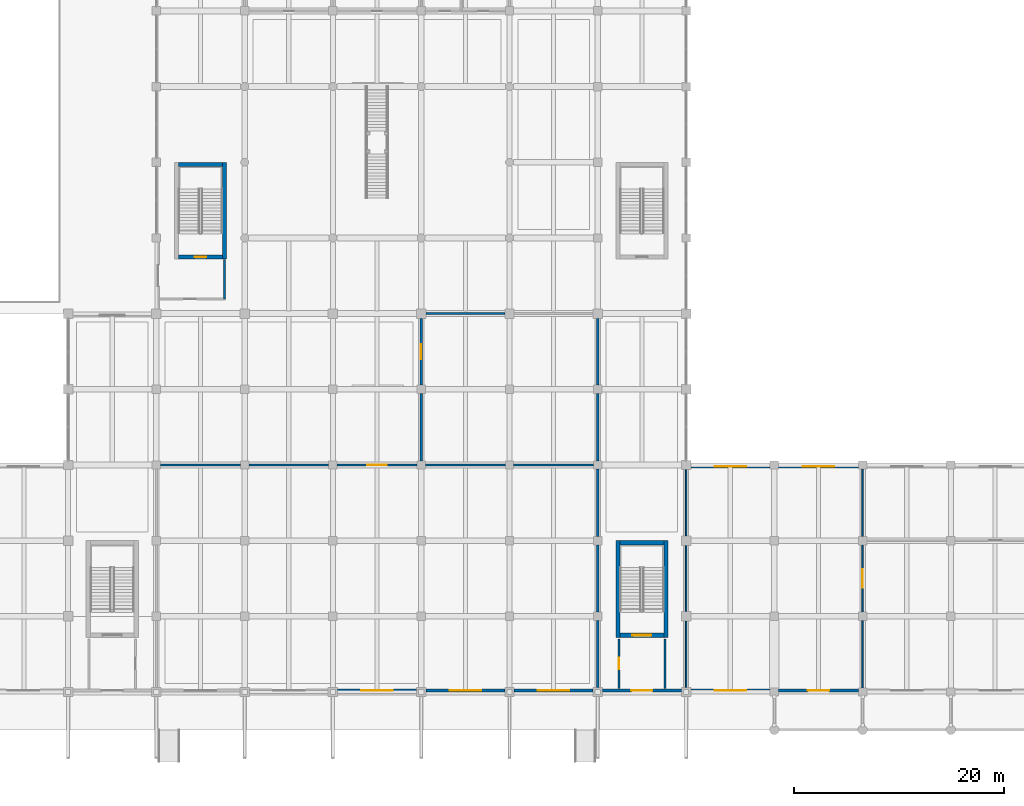
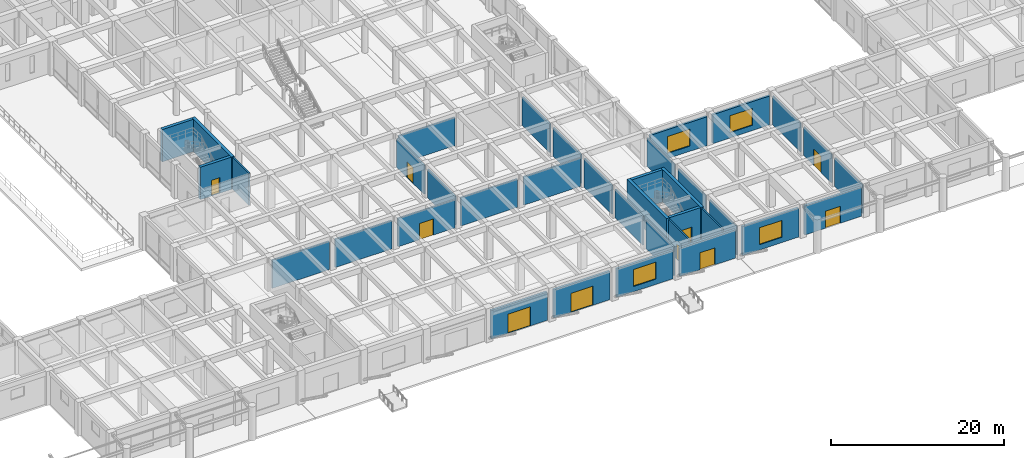
# One storey, part 27 of 49: 37 walls, 10 doors, 4 windows, 14 openings.
"""IFC4 building model written with IfcOpenShell, lengths in metres."""

from ifc_helpers import new_model, si_unit, direction, frame, frame_2d, origin, place, context, subcontext, project, spatial, rectangle, extrude, material, layer, layer_set, type_object, element, fill, save


model = new_model("IFC4")

# Units and contexts
model_context = context("Model", 3, precision=1e-05, world=origin(), true_north=direction((0.0, 1.0)))
body_context = subcontext(model_context, "Body", "Model", "MODEL_VIEW")
ifc_project = project(units=[si_unit("LENGTHUNIT", "METRE"), si_unit("AREAUNIT", "SQUARE_METRE"), si_unit("VOLUMEUNIT", "CUBIC_METRE"), si_unit("PLANEANGLEUNIT", "RADIAN"), si_unit("MASSUNIT", "GRAM", prefix="KILO")], contexts=[model_context])

# Site, building, storey
site_placement = place(None, origin())
site = spatial("IfcSite", under=ifc_project, at=site_placement, CompositionType="ELEMENT")
building_placement = place(site_placement, origin())
building = spatial("IfcBuilding", under=site, at=building_placement, Name="Kenerak Square Central Library", CompositionType="ELEMENT")
storey_placement = place(building_placement, origin())
storey = spatial("IfcBuildingStorey", under=building, at=storey_placement, Name="L00", CompositionType="ELEMENT", Elevation=0.0)

# Wall
ifc_material_1 = material(Name="Precast concrete C40/50", Category="concrete")
ifc_layer_1 = layer(ifc_material_1, 0.14990234375)
ifc_layer_set_1 = layer_set([ifc_layer_1], Name="Precast concrete C40/50")
wall_type_1 = type_object("IfcWallType", Name="Acoustic Blockwork Partition IW-150 C40/50", PredefinedType="PARTITIONING", material=ifc_layer_set_1)
wall_1_placement = place(storey_placement, frame((134.0, 38.0, 0.0), z_axis=(0.0, 0.0, 1.0), x_axis=(0.0, -1.0, 0.0)))
element("IfcWall", 1, at=wall_1_placement, inside=storey, type_object=wall_type_1, Name="Interior Wall IW-L00-06-E4-B1", PredefinedType="PARTITIONING", context=body_context, shape_type="SweptSolid", body=[
    extrude(rectangle(XDim=6.39990234375, YDim=0.14990234375, at=frame_2d((3.199951171875, 0.0))), origin(), (0.0, 0.0, 1.0), 4.050048828125),
])

# Wall, opening, door
wall_2_placement = place(storey_placement, frame((134.0, 30.800048828125, 0.0), z_axis=(0.0, 0.0, 1.0), x_axis=(0.0, -1.0, 0.0)))
wall_2 = element("IfcWall", 2, at=wall_2_placement, inside=storey, type_object=wall_type_1, Name="Interior Wall IW-L00-06-E4-B2", PredefinedType="PARTITIONING", context=body_context, shape_type="SweptSolid", body=[
    extrude(rectangle(XDim=6.400146484375, YDim=0.14990234375, at=frame_2d((3.2001953125, 0.0))), origin(), (0.0, 0.0, 1.0), 4.050048828125),
])
opening_1_placement = place(wall_2_placement, frame((2.324951171875, 0.0, 0.0)))
opening_1 = element("IfcOpeningElement", 3, at=opening_1_placement, cuts=wall_2, Name="Opening ID-11", PredefinedType="OPENING", context=body_context, shape_type="SweptSolid", body=[
    extrude(rectangle(XDim=1.75, YDim=2.300048828125, at=frame_2d((0.875, 1.14990234375))), frame((0.0, 0.0849609375, 0.0), z_axis=(0.0, -1.0, 0.0), x_axis=(1.0, 0.0, 0.0)), (0.0, 0.0, 1.0), 0.169921875),
])
ifc_material_2 = material(Name="Anodised aluminium and laminated glass", Category="aluminium")
door_type_1 = type_object("IfcDoorType", Name="Bookshop Glazed Double Door ID-1750x2300", OperationType="NOTDEFINED", PredefinedType="DOOR", material=ifc_material_2)
door_1_placement = place(opening_1_placement, origin())
door_1 = element("IfcDoor", 4, at=door_1_placement, inside=storey, type_object=door_type_1, Name="Public Library Bookshop Door", OperationType="DOUBLE_DOOR_SINGLE_SWING", OverallHeight=2.300048828125, OverallWidth=1.75, PredefinedType="DOOR", context=body_context, shape_type="SweptSolid", body=[
    extrude(rectangle(XDim=1.75, YDim=2.300048828125, at=frame_2d((0.875, 1.14990234375))), frame((0.0, 0.02490234375, 0.0), z_axis=(0.0, -1.0, 0.0), x_axis=(1.0, 0.0, 0.0)), (0.0, 0.0, 1.0), 0.050048828125),
])
fill(opening_1, door_1)

# Walls
wall_3_placement = place(storey_placement, frame((134.0, 23.60009765625, 0.0), z_axis=(0.0, 0.0, 1.0), x_axis=(0.0, -1.0, 0.0)))
element("IfcWall", 5, at=wall_3_placement, inside=storey, type_object=wall_type_1, Name="Interior Wall IW-L00-06-E4-B3", PredefinedType="PARTITIONING", context=body_context, shape_type="SweptSolid", body=[
    extrude(rectangle(XDim=6.400146484375, YDim=0.14990234375, at=frame_2d((3.2001953125, 0.0))), origin(), (0.0, 0.0, 1.0), 4.050048828125),
])
for number, where, z_axis, x_axis, name in (
    (6, (117.199951171875, 17.25, 0.0), (0.0, 0.0, 1.0), (0.0, 1.0, 0.0), "Interior Wall IW-L00-06-W3-B1"),
    (7, (117.199951171875, 24.449951171875, 0.0), (0.0, 0.0, 1.0), (0.0, 1.0, 0.0), "Interior Wall IW-L00-06-W3-B2"),
    (8, (117.199951171875, 31.64990234375, 0.0), (0.0, 0.0, 1.0), (0.0, 1.0, 0.0), "Interior Wall IW-L00-06-W3-B3"),
):
    element("IfcWall", number, at=place(storey_placement, frame(where, z_axis=z_axis, x_axis=x_axis)), inside=storey, type_object=wall_type_1, Name=name, PredefinedType="PARTITIONING", context=body_context, shape_type="SweptSolid", body=[
        extrude(rectangle(XDim=6.300048828125, YDim=0.14990234375, at=frame_2d((3.14990234375, 0.0))), origin(), (0.0, 0.0, 1.0), 4.050048828125),
    ])

# Wall, opening, window
ifc_material_3 = material(Name="Concrete C40/50", Category="concrete")
ifc_layer_2 = layer(ifc_material_3, 0.300048828125)
ifc_layer_set_2 = layer_set([ifc_layer_2], Name="Concrete C40/50")
wall_type_2 = type_object("IfcWallType", Name="Board-Marked Brutalist Facade Wall EW-300 C40/50", PredefinedType="SOLIDWALL", material=ifc_layer_set_2)
wall_4_placement = place(storey_placement, frame((117.64990234375, 38.25, 0.0), z_axis=(0.0, 0.0, 1.0), x_axis=(1.0, 0.0, 0.0)))
wall_4 = element("IfcWall", 9, at=wall_4_placement, inside=storey, type_object=wall_type_2, Name="Exterior Facade Wall L00 0058", PredefinedType="SOLIDWALL", context=body_context, shape_type="SweptSolid", body=[
    extrude(rectangle(XDim=7.550048828125, YDim=0.300048828125, at=frame_2d((3.77490234375, 0.0))), origin(), (0.0, 0.0, 1.0), 4.10009765625),
])
opening_2_placement = place(wall_4_placement, frame((2.27490234375, 0.0, 0.75)))
opening_2 = element("IfcOpeningElement", 10, at=opening_2_placement, cuts=wall_4, Name="Opening W-14", PredefinedType="OPENING", context=body_context, shape_type="SweptSolid", body=[
    extrude(rectangle(XDim=3.0, YDim=2.39990234375, at=frame_2d((1.5, 1.199951171875))), frame((0.0, 0.159912109375, 0.0), z_axis=(0.0, -1.0, 0.0), x_axis=(1.0, 0.0, 0.0)), (0.0, 0.0, 1.0), 0.320068359375),
])
ifc_material_4 = material(Name="Solar-control low-E laminated double glazing", Category="glass")
window_type = type_object("IfcWindowType", Name="Street Cafe Display Window W-14 3000x2400", PartitioningType="SINGLE_PANEL", PredefinedType="WINDOW", material=ifc_material_4)
window_1_placement = place(opening_2_placement, origin())
window_1 = element("IfcWindow", 11, at=window_1_placement, inside=storey, type_object=window_type, Name="Window W-14 L00 0040", OverallHeight=2.39990234375, OverallWidth=3.0, PartitioningType="SINGLE_PANEL", PredefinedType="WINDOW", context=body_context, shape_type="SweptSolid", body=[
    extrude(rectangle(XDim=3.0, YDim=2.39990234375, at=frame_2d((1.5, 1.199951171875))), frame((0.0, 0.030029296875, 0.0), z_axis=(0.0, -1.0, 0.0), x_axis=(1.0, 0.0, 0.0)), (0.0, 0.0, 1.0), 0.06005859375),
])
fill(opening_2, window_1)

wall_5_placement = place(storey_placement, frame((126.0, 38.25, 0.0), z_axis=(0.0, 0.0, 1.0), x_axis=(1.0, 0.0, 0.0)))
wall_5 = element("IfcWall", 12, at=wall_5_placement, inside=storey, type_object=wall_type_2, Name="Exterior Facade Wall L00 0059", PredefinedType="SOLIDWALL", context=body_context, shape_type="SweptSolid", body=[
    extrude(rectangle(XDim=7.60009765625, YDim=0.300048828125, at=frame_2d((3.800048828125, 0.0))), origin(), (0.0, 0.0, 1.0), 4.10009765625),
])
opening_3_placement = place(wall_5_placement, frame((2.300048828125, 0.0, 0.75)))
opening_3 = element("IfcOpeningElement", 13, at=opening_3_placement, cuts=wall_5, Name="Opening W-14", PredefinedType="OPENING", context=body_context, shape_type="SweptSolid", body=[
    extrude(rectangle(XDim=3.0, YDim=2.39990234375, at=frame_2d((1.5, 1.199951171875))), frame((0.0, 0.159912109375, 0.0), z_axis=(0.0, -1.0, 0.0), x_axis=(1.0, 0.0, 0.0)), (0.0, 0.0, 1.0), 0.320068359375),
])
window_2_placement = place(opening_3_placement, origin())
window_2 = element("IfcWindow", 14, at=window_2_placement, inside=storey, type_object=window_type, Name="Window W-14 L00 0041", OverallHeight=2.39990234375, OverallWidth=3.0, PartitioningType="SINGLE_PANEL", PredefinedType="WINDOW", context=body_context, shape_type="SweptSolid", body=[
    extrude(rectangle(XDim=3.0, YDim=2.39990234375, at=frame_2d((1.5, 1.199951171875))), frame((0.0, 0.030029296875, 0.0), z_axis=(0.0, -1.0, 0.0), x_axis=(1.0, 0.0, 0.0)), (0.0, 0.0, 1.0), 0.06005859375),
])
fill(opening_3, window_2)

# Wall, opening, door
wall_6_placement = place(storey_placement, frame((133.60009765625, 16.949951171875, 0.0), z_axis=(0.0, 0.0, 1.0), x_axis=(-1.0, 0.0, 0.0)))
wall_6 = element("IfcWall", 15, at=wall_6_placement, inside=storey, type_object=wall_type_2, Name="Exterior Facade Wall L00 0078", PredefinedType="SOLIDWALL", context=body_context, shape_type="SweptSolid", body=[
    extrude(rectangle(XDim=7.60009765625, YDim=0.300048828125, at=frame_2d((3.800048828125, 0.0))), origin(), (0.0, 0.0, 1.0), 4.10009765625),
])
opening_4_placement = place(wall_6_placement, frame((2.800048828125, 0.0, 0.0)))
opening_4 = element("IfcOpeningElement", 16, at=opening_4_placement, cuts=wall_6, Name="Opening ED-04", PredefinedType="OPENING", context=body_context, shape_type="SweptSolid", body=[
    extrude(rectangle(XDim=2.0, YDim=2.39990234375, at=frame_2d((1.0, 1.199951171875))), frame((0.0, 0.159912109375, 0.0), z_axis=(0.0, -1.0, 0.0), x_axis=(1.0, 0.0, 0.0)), (0.0, 0.0, 1.0), 0.320068359375),
])
door_type_2 = type_object("IfcDoorType", Name="Cafe and Bookshop Entrance Door ED-2000x2400", OperationType="NOTDEFINED", PredefinedType="DOOR", material=ifc_material_2)
door_2_placement = place(opening_4_placement, origin())
door_2 = element("IfcDoor", 17, at=door_2_placement, inside=storey, type_object=door_type_2, Name="Exterior Entrance Door L00 008", OperationType="DOUBLE_DOOR_SINGLE_SWING", OverallHeight=2.39990234375, OverallWidth=2.0, PredefinedType="DOOR", context=body_context, shape_type="SweptSolid", body=[
    extrude(rectangle(XDim=2.0, YDim=2.39990234375, at=frame_2d((1.0, 1.199951171875))), frame((0.0, 0.02490234375, 0.0), z_axis=(0.0, -1.0, 0.0), x_axis=(1.0, 0.0, 0.0)), (0.0, 0.0, 1.0), 0.050048828125),
])
fill(opening_4, door_2)

# Wall, opening, window
wall_7_placement = place(storey_placement, frame((125.199951171875, 16.949951171875, 0.0), z_axis=(0.0, 0.0, 1.0), x_axis=(-1.0, 0.0, 0.0)))
wall_7 = element("IfcWall", 18, at=wall_7_placement, inside=storey, type_object=wall_type_2, Name="Exterior Facade Wall L00 0079", PredefinedType="SOLIDWALL", context=body_context, shape_type="SweptSolid", body=[
    extrude(rectangle(XDim=7.550048828125, YDim=0.300048828125, at=frame_2d((3.77490234375, 0.0))), origin(), (0.0, 0.0, 1.0), 4.10009765625),
])
opening_5_placement = place(wall_7_placement, frame((2.27490234375, 0.0, 0.75)))
opening_5 = element("IfcOpeningElement", 19, at=opening_5_placement, cuts=wall_7, Name="Opening W-14", PredefinedType="OPENING", context=body_context, shape_type="SweptSolid", body=[
    extrude(rectangle(XDim=3.0, YDim=2.39990234375, at=frame_2d((1.5, 1.199951171875))), frame((0.0, 0.159912109375, 0.0), z_axis=(0.0, -1.0, 0.0), x_axis=(1.0, 0.0, 0.0)), (0.0, 0.0, 1.0), 0.320068359375),
])
window_3_placement = place(opening_5_placement, origin())
window_3 = element("IfcWindow", 20, at=window_3_placement, inside=storey, type_object=window_type, Name="Window W-14 L00 0058", OverallHeight=2.39990234375, OverallWidth=3.0, PartitioningType="SINGLE_PANEL", PredefinedType="WINDOW", context=body_context, shape_type="SweptSolid", body=[
    extrude(rectangle(XDim=3.0, YDim=2.39990234375, at=frame_2d((1.5, 1.199951171875))), frame((0.0, 0.030029296875, 0.0), z_axis=(0.0, -1.0, 0.0), x_axis=(1.0, 0.0, 0.0)), (0.0, 0.0, 1.0), 0.06005859375),
])
fill(opening_5, window_3)

# Wall, opening, door
wall_8_placement = place(storey_placement, frame((116.75, 16.949951171875, 0.0), z_axis=(0.0, 0.0, 1.0), x_axis=(-1.0, 0.0, 0.0)))
wall_8 = element("IfcWall", 21, at=wall_8_placement, inside=storey, type_object=wall_type_2, Name="Exterior Facade Wall L00 0080", PredefinedType="SOLIDWALL", context=body_context, shape_type="SweptSolid", body=[
    extrude(rectangle(XDim=7.5, YDim=0.300048828125, at=frame_2d((3.75, 0.0))), origin(), (0.0, 0.0, 1.0), 4.0),
])
opening_6_placement = place(wall_8_placement, frame((2.75, 0.0, 0.0)))
opening_6 = element("IfcOpeningElement", 22, at=opening_6_placement, cuts=wall_8, Name="Opening ED-04", PredefinedType="OPENING", context=body_context, shape_type="SweptSolid", body=[
    extrude(rectangle(XDim=2.0, YDim=2.39990234375, at=frame_2d((1.0, 1.199951171875))), frame((0.0, 0.159912109375, 0.0), z_axis=(0.0, -1.0, 0.0), x_axis=(1.0, 0.0, 0.0)), (0.0, 0.0, 1.0), 0.320068359375),
])
door_3_placement = place(opening_6_placement, origin())
door_3 = element("IfcDoor", 23, at=door_3_placement, inside=storey, type_object=door_type_2, Name="Exterior Entrance Door L00 009", OperationType="DOUBLE_DOOR_SINGLE_SWING", OverallHeight=2.39990234375, OverallWidth=2.0, PredefinedType="DOOR", context=body_context, shape_type="SweptSolid", body=[
    extrude(rectangle(XDim=2.0, YDim=2.39990234375, at=frame_2d((1.0, 1.199951171875))), frame((0.0, 0.02490234375, 0.0), z_axis=(0.0, -1.0, 0.0), x_axis=(1.0, 0.0, 0.0)), (0.0, 0.0, 1.0), 0.050048828125),
])
fill(opening_6, door_3)

# Wall, opening, window
wall_9_placement = place(storey_placement, frame((108.35009765625, 16.949951171875, 0.0), z_axis=(0.0, 0.0, 1.0), x_axis=(-1.0, 0.0, 0.0)))
wall_9 = element("IfcWall", 24, at=wall_9_placement, inside=storey, type_object=wall_type_2, Name="Exterior Facade Wall L00 0081", PredefinedType="SOLIDWALL", context=body_context, shape_type="SweptSolid", body=[
    extrude(rectangle(XDim=7.5, YDim=0.300048828125, at=frame_2d((3.75, 0.0))), origin(), (0.0, 0.0, 1.0), 4.0),
])
opening_7_placement = place(wall_9_placement, frame((2.25, 0.0, 0.75)))
opening_7 = element("IfcOpeningElement", 25, at=opening_7_placement, cuts=wall_9, Name="Opening W-14", PredefinedType="OPENING", context=body_context, shape_type="SweptSolid", body=[
    extrude(rectangle(XDim=3.0, YDim=2.39990234375, at=frame_2d((1.5, 1.199951171875))), frame((0.0, 0.159912109375, 0.0), z_axis=(0.0, -1.0, 0.0), x_axis=(1.0, 0.0, 0.0)), (0.0, 0.0, 1.0), 0.320068359375),
])
window_4_placement = place(opening_7_placement, origin())
window_4 = element("IfcWindow", 26, at=window_4_placement, inside=storey, type_object=window_type, Name="Window W-14 L00 0059", OverallHeight=2.39990234375, OverallWidth=3.0, PartitioningType="SINGLE_PANEL", PredefinedType="WINDOW", context=body_context, shape_type="SweptSolid", body=[
    extrude(rectangle(XDim=3.0, YDim=2.39990234375, at=frame_2d((1.5, 1.199951171875))), frame((0.0, 0.030029296875, 0.0), z_axis=(0.0, -1.0, 0.0), x_axis=(1.0, 0.0, 0.0)), (0.0, 0.0, 1.0), 0.06005859375),
])
fill(opening_7, window_4)

# Wall, opening, door
wall_10_placement = place(storey_placement, frame((99.949951171875, 16.949951171875, 0.0), z_axis=(0.0, 0.0, 1.0), x_axis=(-1.0, 0.0, 0.0)))
wall_10 = element("IfcWall", 27, at=wall_10_placement, inside=storey, type_object=wall_type_2, Name="Exterior Facade Wall L00 0082", PredefinedType="SOLIDWALL", context=body_context, shape_type="SweptSolid", body=[
    extrude(rectangle(XDim=7.5, YDim=0.300048828125, at=frame_2d((3.75, 0.0))), origin(), (0.0, 0.0, 1.0), 4.0),
])
opening_8_placement = place(wall_10_placement, frame((2.25, 0.0, 0.0)))
opening_8 = element("IfcOpeningElement", 28, at=opening_8_placement, cuts=wall_10, Name="Opening ED-01", PredefinedType="OPENING", context=body_context, shape_type="SweptSolid", body=[
    extrude(rectangle(XDim=3.0, YDim=2.699951171875, at=frame_2d((1.5, 1.35009765625))), frame((0.0, 0.159912109375, 0.0), z_axis=(0.0, -1.0, 0.0), x_axis=(1.0, 0.0, 0.0)), (0.0, 0.0, 1.0), 0.320068359375),
])
door_type_3 = type_object("IfcDoorType", Name="Main Square Concourse Double Door ED-3000x2700", OperationType="NOTDEFINED", PredefinedType="DOOR", material=ifc_material_2)
door_4_placement = place(opening_8_placement, origin())
door_4 = element("IfcDoor", 29, at=door_4_placement, inside=storey, type_object=door_type_3, Name="Exterior Entrance Door L00 010", OperationType="DOUBLE_DOOR_SINGLE_SWING", OverallHeight=2.699951171875, OverallWidth=3.0, PredefinedType="DOOR", context=body_context, shape_type="SweptSolid", body=[
    extrude(rectangle(XDim=3.0, YDim=2.699951171875, at=frame_2d((1.5, 1.35009765625))), frame((0.0, 0.02490234375, 0.0), z_axis=(0.0, -1.0, 0.0), x_axis=(1.0, 0.0, 0.0)), (0.0, 0.0, 1.0), 0.050048828125),
])
fill(opening_8, door_4)

wall_11_placement = place(storey_placement, frame((91.550048828125, 16.949951171875, 0.0), z_axis=(0.0, 0.0, 1.0), x_axis=(-1.0, 0.0, 0.0)))
wall_11 = element("IfcWall", 30, at=wall_11_placement, inside=storey, type_object=wall_type_2, Name="Exterior Facade Wall L00 0083", PredefinedType="SOLIDWALL", context=body_context, shape_type="SweptSolid", body=[
    extrude(rectangle(XDim=7.5, YDim=0.300048828125, at=frame_2d((3.75, 0.0))), origin(), (0.0, 0.0, 1.0), 4.0),
])
opening_9_placement = place(wall_11_placement, frame((2.25, 0.0, 0.0)))
opening_9 = element("IfcOpeningElement", 31, at=opening_9_placement, cuts=wall_11, Name="Opening ED-01", PredefinedType="OPENING", context=body_context, shape_type="SweptSolid", body=[
    extrude(rectangle(XDim=3.0, YDim=2.699951171875, at=frame_2d((1.5, 1.35009765625))), frame((0.0, 0.159912109375, 0.0), z_axis=(0.0, -1.0, 0.0), x_axis=(1.0, 0.0, 0.0)), (0.0, 0.0, 1.0), 0.320068359375),
])
door_5_placement = place(opening_9_placement, origin())
door_5 = element("IfcDoor", 32, at=door_5_placement, inside=storey, type_object=door_type_3, Name="Exterior Entrance Door L00 011", OperationType="DOUBLE_DOOR_SINGLE_SWING", OverallHeight=2.699951171875, OverallWidth=3.0, PredefinedType="DOOR", context=body_context, shape_type="SweptSolid", body=[
    extrude(rectangle(XDim=3.0, YDim=2.699951171875, at=frame_2d((1.5, 1.35009765625))), frame((0.0, 0.02490234375, 0.0), z_axis=(0.0, -1.0, 0.0), x_axis=(1.0, 0.0, 0.0)), (0.0, 0.0, 1.0), 0.050048828125),
])
fill(opening_9, door_5)

# Walls
ifc_layer_3 = layer(ifc_material_3, 0.39990234375)
ifc_layer_set_3 = layer_set([ifc_layer_3], Name="Concrete C40/50")
wall_type_3 = type_object("IfcWallType", Name="Core Shear Wall CW-400 C40/50", PredefinedType="SHEAR", material=ifc_layer_set_3)
for number, where, z_axis, x_axis, name in (
    (33, (110.719970703125, 22.0, 0.0), (0.0, 0.0, 1.0), (0.0, 1.0, 0.0), "Core Wall CW-C5 L00 West"),
    (34, (115.280029296875, 31.199951171875, 0.0), (0.0, 0.0, 1.0), (0.0, -1.0, 0.0), "Core Wall CW-C5 L00 East"),
):
    element("IfcWall", number, at=place(storey_placement, frame(where, z_axis=z_axis, x_axis=x_axis)), inside=storey, type_object=wall_type_3, Name=name, PredefinedType="SHEAR", context=body_context, shape_type="SweptSolid", body=[
        extrude(rectangle(XDim=9.199951171875, YDim=0.39990234375, at=frame_2d((4.60009765625, 0.0))), origin(), (0.0, 0.0, 1.0), 4.574951171875),
    ])

# Wall, opening, door
wall_12_placement = place(storey_placement, frame((115.080078125, 22.199951171875, 0.0), z_axis=(0.0, 0.0, 1.0), x_axis=(-1.0, 0.0, 0.0)))
wall_12 = element("IfcWall", 35, at=wall_12_placement, inside=storey, type_object=wall_type_3, Name="Core Wall CW-C5 L00 South", PredefinedType="SHEAR", context=body_context, shape_type="SweptSolid", body=[
    extrude(rectangle(XDim=4.16015625, YDim=0.39990234375, at=frame_2d((2.080078125, 0.0))), origin(), (0.0, 0.0, 1.0), 4.574951171875),
])
opening_10_placement = place(wall_12_placement, frame((1.179931640625, 0.0, 0.0)))
opening_10 = element("IfcOpeningElement", 36, at=opening_10_placement, cuts=wall_12, Name="Opening D-EX1", PredefinedType="OPENING", context=body_context, shape_type="SweptSolid", body=[
    extrude(rectangle(XDim=1.800048828125, YDim=2.199951171875, at=frame_2d((0.89990234375, 1.10009765625))), frame((0.0, 0.2099609375, 0.0), z_axis=(0.0, -1.0, 0.0), x_axis=(1.0, 0.0, 0.0)), (0.0, 0.0, 1.0), 0.419921875),
])
ifc_material_5 = material(Name="Steel S355", Category="steel")
door_type_4 = type_object("IfcDoorType", Name="Stair Final Exit Double Door ED-1800x2200", OperationType="NOTDEFINED", PredefinedType="DOOR", material=ifc_material_5)
door_6_placement = place(opening_10_placement, frame((1.800048828125, 0.0, 0.0), z_axis=(0.0, 0.0, 1.0), x_axis=(-1.0, 0.0, 0.0)))
door_6 = element("IfcDoor", 37, at=door_6_placement, inside=storey, type_object=door_type_4, Name="Final Exit Discharge Door ST-05", OperationType="DOUBLE_DOOR_SINGLE_SWING", OverallHeight=2.199951171875, OverallWidth=1.800048828125, PredefinedType="DOOR", context=body_context, shape_type="SweptSolid", body=[
    extrude(rectangle(XDim=1.800048828125, YDim=2.199951171875, at=frame_2d((0.89990234375, 1.10009765625))), frame((0.0, 0.02490234375, 0.0), z_axis=(0.0, -1.0, 0.0), x_axis=(1.0, 0.0, 0.0)), (0.0, 0.0, 1.0), 0.050048828125),
])
fill(opening_10, door_6)

# Walls
wall_13_placement = place(storey_placement, frame((110.919921875, 31.0, 0.0), z_axis=(0.0, 0.0, 1.0), x_axis=(1.0, 0.0, 0.0)))
element("IfcWall", 38, at=wall_13_placement, inside=storey, type_object=wall_type_3, Name="Core Wall CW-C5 L00 North", PredefinedType="SHEAR", context=body_context, shape_type="SweptSolid", body=[
    extrude(rectangle(XDim=4.16015625, YDim=0.39990234375, at=frame_2d((2.080078125, 0.0))), origin(), (0.0, 0.0, 1.0), 4.574951171875),
])
wall_14_placement = place(storey_placement, frame((73.280029296875, 67.199951171875, 0.0), z_axis=(0.0, 0.0, 1.0), x_axis=(0.0, -1.0, 0.0)))
element("IfcWall", 39, at=wall_14_placement, inside=storey, type_object=wall_type_3, Name="Core Wall CW-C8 L00 East", PredefinedType="SHEAR", context=body_context, shape_type="SweptSolid", body=[
    extrude(rectangle(XDim=9.199951171875, YDim=0.39990234375, at=frame_2d((4.60009765625, 0.0))), origin(), (0.0, 0.0, 1.0), 4.574951171875),
])

# Wall, opening, door
wall_15_placement = place(storey_placement, frame((73.080078125, 58.199951171875, 0.0), z_axis=(0.0, 0.0, 1.0), x_axis=(-1.0, 0.0, 0.0)))
wall_15 = element("IfcWall", 40, at=wall_15_placement, inside=storey, type_object=wall_type_3, Name="Core Wall CW-C8 L00 South", PredefinedType="SHEAR", context=body_context, shape_type="SweptSolid", body=[
    extrude(rectangle(XDim=4.16015625, YDim=0.39990234375, at=frame_2d((2.080078125, 0.0))), origin(), (0.0, 0.0, 1.0), 4.574951171875),
])
opening_11_placement = place(wall_15_placement, frame((1.530029296875, 0.0, 0.0)))
opening_11 = element("IfcOpeningElement", 41, at=opening_11_placement, cuts=wall_15, Name="Opening D-ST1", PredefinedType="OPENING", context=body_context, shape_type="SweptSolid", body=[
    extrude(rectangle(XDim=1.10009765625, YDim=2.199951171875, at=frame_2d((0.550048828125, 1.10009765625))), frame((0.0, 0.2099609375, 0.0), z_axis=(0.0, -1.0, 0.0), x_axis=(1.0, 0.0, 0.0)), (0.0, 0.0, 1.0), 0.419921875),
])
door_type_5 = type_object("IfcDoorType", Name="Protected Stair Fire Door FD-1100x2200 FD60S", OperationType="NOTDEFINED", PredefinedType="DOOR", material=ifc_material_5)
door_7_placement = place(opening_11_placement, frame((1.10009765625, 0.0, 0.0), z_axis=(0.0, 0.0, 1.0), x_axis=(-1.0, 0.0, 0.0)))
door_7 = element("IfcDoor", 42, at=door_7_placement, inside=storey, type_object=door_type_5, Name="Stair Door ST-08 L00", OperationType="SINGLE_SWING_RIGHT", OverallHeight=2.199951171875, OverallWidth=1.10009765625, PredefinedType="DOOR", context=body_context, shape_type="SweptSolid", body=[
    extrude(rectangle(XDim=1.10009765625, YDim=2.199951171875, at=frame_2d((0.550048828125, 1.10009765625))), frame((0.0, 0.02490234375, 0.0), z_axis=(0.0, -1.0, 0.0), x_axis=(1.0, 0.0, 0.0)), (0.0, 0.0, 1.0), 0.050048828125),
])
fill(opening_11, door_7)

# Wall
wall_16_placement = place(storey_placement, frame((68.919921875, 67.0, 0.0), z_axis=(0.0, 0.0, 1.0), x_axis=(1.0, 0.0, 0.0)))
element("IfcWall", 43, at=wall_16_placement, inside=storey, type_object=wall_type_3, Name="Core Wall CW-C8 L00 North", PredefinedType="SHEAR", context=body_context, shape_type="SweptSolid", body=[
    extrude(rectangle(XDim=4.16015625, YDim=0.39990234375, at=frame_2d((2.080078125, 0.0))), origin(), (0.0, 0.0, 1.0), 4.574951171875),
])

# Wall, opening, door
ifc_layer_4 = layer(ifc_material_3, 0.199951171875)
ifc_layer_set_4 = layer_set([ifc_layer_4], Name="Concrete C40/50")
wall_type_4 = type_object("IfcWallType", Name="Lobby Compartment Wall LW-200 C40/50", PredefinedType="SOLIDWALL", material=ifc_layer_set_4)
wall_17_placement = place(storey_placement, frame((110.800048828125, 17.14990234375, 0.0), z_axis=(0.0, 0.0, 1.0), x_axis=(0.0, 1.0, 0.0)))
wall_17 = element("IfcWall", 44, at=wall_17_placement, inside=storey, type_object=wall_type_4, Name="Protected Exit Corridor Wall ST-05 W", PredefinedType="SOLIDWALL", context=body_context, shape_type="SweptSolid", body=[
    extrude(rectangle(XDim=4.7001953125, YDim=0.199951171875, at=frame_2d((2.35009765625, 0.0))), origin(), (0.0, 0.0, 1.0), 4.52490234375),
])
opening_12_placement = place(wall_17_placement, frame((1.800048828125, 0.0, 0.0)))
opening_12 = element("IfcOpeningElement", 45, at=opening_12_placement, cuts=wall_17, Name="Opening D-ST1", PredefinedType="OPENING", context=body_context, shape_type="SweptSolid", body=[
    extrude(rectangle(XDim=1.10009765625, YDim=2.199951171875, at=frame_2d((0.550048828125, 1.10009765625))), frame((0.0, 0.10986328125, 0.0), z_axis=(0.0, -1.0, 0.0), x_axis=(1.0, 0.0, 0.0)), (0.0, 0.0, 1.0), 0.219970703125),
])
door_8_placement = place(opening_12_placement, frame((1.10009765625, 0.0, 0.0), z_axis=(0.0, 0.0, 1.0), x_axis=(-1.0, 0.0, 0.0)))
door_8 = element("IfcDoor", 46, at=door_8_placement, inside=storey, type_object=door_type_5, Name="Protected Exit Corridor Access Door ST-05", OperationType="SINGLE_SWING_LEFT", OverallHeight=2.199951171875, OverallWidth=1.10009765625, PredefinedType="DOOR", context=body_context, shape_type="SweptSolid", body=[
    extrude(rectangle(XDim=1.10009765625, YDim=2.199951171875, at=frame_2d((0.550048828125, 1.10009765625))), frame((0.0, 0.02490234375, 0.0), z_axis=(0.0, -1.0, 0.0), x_axis=(1.0, 0.0, 0.0)), (0.0, 0.0, 1.0), 0.050048828125),
])
fill(opening_12, door_8)

# Walls
wall_18_placement = place(storey_placement, frame((115.199951171875, 17.14990234375, 0.0), z_axis=(0.0, 0.0, 1.0), x_axis=(0.0, 1.0, 0.0)))
element("IfcWall", 47, at=wall_18_placement, inside=storey, type_object=wall_type_4, Name="Protected Exit Corridor Wall ST-05 E", PredefinedType="SOLIDWALL", context=body_context, shape_type="SweptSolid", body=[
    extrude(rectangle(XDim=4.7001953125, YDim=0.199951171875, at=frame_2d((2.35009765625, 0.0))), origin(), (0.0, 0.0, 1.0), 4.52490234375),
])
wall_19_placement = place(storey_placement, frame((73.300048828125, 54.199951171875, 0.0), z_axis=(0.0, 0.0, 1.0), x_axis=(0.0, 1.0, 0.0)))
element("IfcWall", 48, at=wall_19_placement, inside=storey, type_object=wall_type_4, Name="Protected Exit Lobby Side Wall ST-08", PredefinedType="SOLIDWALL", context=body_context, shape_type="SweptSolid", body=[
    extrude(rectangle(XDim=3.75, YDim=0.199951171875, at=frame_2d((1.875, 0.0))), origin(), (0.0, 0.0, 1.0), 4.52490234375),
])
ifc_layer_5 = layer(ifc_material_1, 0.199951171875)
ifc_layer_set_5 = layer_set([ifc_layer_5], Name="Precast concrete C40/50")
wall_type_5 = type_object("IfcWallType", Name="Protected Corridor Fire Wall IW-200 C40/50", PredefinedType="PARTITIONING", material=ifc_layer_set_5)
wall_20_placement = place(storey_placement, frame((67.199951171875, 38.39990234375, 0.0), z_axis=(0.0, 0.0, 1.0), x_axis=(1.0, 0.0, 0.0)))
element("IfcWall", 49, at=wall_20_placement, inside=storey, type_object=wall_type_5, Name="Interior Wall IW-L00-01-N1-B1", PredefinedType="PARTITIONING", context=body_context, shape_type="SweptSolid", body=[
    extrude(rectangle(XDim=7.60009765625, YDim=0.199951171875, at=frame_2d((3.800048828125, 0.0))), origin(), (0.0, 0.0, 1.0), 4.0),
])
wall_21_placement = place(storey_placement, frame((75.60009765625, 38.39990234375, 0.0), z_axis=(0.0, 0.0, 1.0), x_axis=(1.0, 0.0, 0.0)))
element("IfcWall", 50, at=wall_21_placement, inside=storey, type_object=wall_type_5, Name="Interior Wall IW-L00-01-N1-B2", PredefinedType="PARTITIONING", context=body_context, shape_type="SweptSolid", body=[
    extrude(rectangle(XDim=7.599853515625, YDim=0.199951171875, at=frame_2d((3.7998046875, 0.0))), origin(), (0.0, 0.0, 1.0), 4.0),
])

# Wall, opening, door
wall_22_placement = place(storey_placement, frame((84.0, 38.39990234375, 0.0), z_axis=(0.0, 0.0, 1.0), x_axis=(1.0, 0.0, 0.0)))
wall_22 = element("IfcWall", 51, at=wall_22_placement, inside=storey, type_object=wall_type_5, Name="Interior Wall IW-L00-01-N1-B3", PredefinedType="PARTITIONING", context=body_context, shape_type="SweptSolid", body=[
    extrude(rectangle(XDim=7.60009765625, YDim=0.199951171875, at=frame_2d((3.800048828125, 0.0))), origin(), (0.0, 0.0, 1.0), 4.0),
])
opening_13_placement = place(wall_22_placement, frame((2.875, 0.0, 0.0)))
opening_13 = element("IfcOpeningElement", 52, at=opening_13_placement, cuts=wall_22, Name="Opening ID-09", PredefinedType="OPENING", context=body_context, shape_type="SweptSolid", body=[
    extrude(rectangle(XDim=1.85009765625, YDim=2.300048828125, at=frame_2d((0.925048828125, 1.14990234375))), frame((0.0, 0.10986328125, 0.0), z_axis=(0.0, -1.0, 0.0), x_axis=(1.0, 0.0, 0.0)), (0.0, 0.0, 1.0), 0.219970703125),
])
door_type_6 = type_object("IfcDoorType", Name="Reading Room Glazed Double Door ID-1850x2300 FD60S", OperationType="NOTDEFINED", PredefinedType="DOOR", material=ifc_material_2)
door_9_placement = place(opening_13_placement, origin())
door_9 = element("IfcDoor", 53, at=door_9_placement, inside=storey, type_object=door_type_6, Name="Grand Square Entrance Foyer and Exhibition Hall Door", OperationType="DOUBLE_DOOR_SINGLE_SWING", OverallHeight=2.300048828125, OverallWidth=1.85009765625, PredefinedType="DOOR", context=body_context, shape_type="SweptSolid", body=[
    extrude(rectangle(XDim=1.85009765625, YDim=2.300048828125, at=frame_2d((0.925048828125, 1.14990234375))), frame((0.0, 0.02490234375, 0.0), z_axis=(0.0, -1.0, 0.0), x_axis=(1.0, 0.0, 0.0)), (0.0, 0.0, 1.0), 0.050048828125),
])
fill(opening_13, door_9)

# Walls
wall_23_placement = place(storey_placement, frame((92.39990234375, 38.39990234375, 0.0), z_axis=(0.0, 0.0, 1.0), x_axis=(1.0, 0.0, 0.0)))
element("IfcWall", 54, at=wall_23_placement, inside=storey, type_object=wall_type_5, Name="Interior Wall IW-L00-01-N1-B4", PredefinedType="PARTITIONING", context=body_context, shape_type="SweptSolid", body=[
    extrude(rectangle(XDim=7.60009765625, YDim=0.199951171875, at=frame_2d((3.800048828125, 0.0))), origin(), (0.0, 0.0, 1.0), 4.0),
])
wall_24_placement = place(storey_placement, frame((100.800048828125, 38.39990234375, 0.0), z_axis=(0.0, 0.0, 1.0), x_axis=(1.0, 0.0, 0.0)))
element("IfcWall", 55, at=wall_24_placement, inside=storey, type_object=wall_type_5, Name="Interior Wall IW-L00-01-N1-B5", PredefinedType="PARTITIONING", context=body_context, shape_type="SweptSolid", body=[
    extrude(rectangle(XDim=7.599853515625, YDim=0.199951171875, at=frame_2d((3.7998046875, 0.0))), origin(), (0.0, 0.0, 1.0), 4.0),
])
wall_25_placement = place(storey_placement, frame((92.0, 38.800048828125, 0.0), z_axis=(0.0, 0.0, 1.0), x_axis=(0.0, 1.0, 0.0)))
element("IfcWall", 56, at=wall_25_placement, inside=storey, type_object=wall_type_5, Name="Interior Wall IW-L00-03-W3-B1", PredefinedType="PARTITIONING", context=body_context, shape_type="SweptSolid", body=[
    extrude(rectangle(XDim=6.39990234375, YDim=0.199951171875, at=frame_2d((3.199951171875, 0.0))), origin(), (0.0, 0.0, 1.0), 4.050048828125),
])

# Wall, opening, door
wall_26_placement = place(storey_placement, frame((92.0, 46.0, 0.0), z_axis=(0.0, 0.0, 1.0), x_axis=(0.0, 1.0, 0.0)))
wall_26 = element("IfcWall", 57, at=wall_26_placement, inside=storey, type_object=wall_type_5, Name="Interior Wall IW-L00-03-W3-B2", PredefinedType="PARTITIONING", context=body_context, shape_type="SweptSolid", body=[
    extrude(rectangle(XDim=6.35009765625, YDim=0.199951171875, at=frame_2d((3.175048828125, 0.0))), origin(), (0.0, 0.0, 1.0), 4.050048828125),
])
opening_14_placement = place(wall_26_placement, frame((2.47509765625, 0.0, 0.0)))
opening_14 = element("IfcOpeningElement", 58, at=opening_14_placement, cuts=wall_26, Name="Opening ID-07", PredefinedType="OPENING", context=body_context, shape_type="SweptSolid", body=[
    extrude(rectangle(XDim=1.39990234375, YDim=2.199951171875, at=frame_2d((0.699951171875, 1.10009765625))), frame((0.0, 0.10986328125, 0.0), z_axis=(0.0, -1.0, 0.0), x_axis=(1.0, 0.0, 0.0)), (0.0, 0.0, 1.0), 0.219970703125),
])
door_type_7 = type_object("IfcDoorType", Name="Plant and Store Unequal Pair Door ID-1400x2200 FD60S", OperationType="NOTDEFINED", PredefinedType="DOOR", material=ifc_material_5)
door_10_placement = place(opening_14_placement, origin())
door_10 = element("IfcDoor", 59, at=door_10_placement, inside=storey, type_object=door_type_7, Name="Automated Book-Return and Sorting Workroom Door", OperationType="SINGLE_SWING_LEFT", OverallHeight=2.199951171875, OverallWidth=1.39990234375, PredefinedType="DOOR", context=body_context, shape_type="SweptSolid", body=[
    extrude(rectangle(XDim=1.39990234375, YDim=2.199951171875, at=frame_2d((0.699951171875, 1.10009765625))), frame((0.0, 0.02490234375, 0.0), z_axis=(0.0, -1.0, 0.0), x_axis=(1.0, 0.0, 0.0)), (0.0, 0.0, 1.0), 0.050048828125),
])
fill(opening_14, door_10)

# Walls
wall_27_placement = place(storey_placement, frame((108.800048828125, 38.0, 0.0), z_axis=(0.0, 0.0, 1.0), x_axis=(0.0, -1.0, 0.0)))
element("IfcWall", 60, at=wall_27_placement, inside=storey, type_object=wall_type_5, Name="Interior Wall IW-L00-01-E3-B1", PredefinedType="PARTITIONING", context=body_context, shape_type="SweptSolid", body=[
    extrude(rectangle(XDim=6.39990234375, YDim=0.199951171875, at=frame_2d((3.199951171875, 0.0))), origin(), (0.0, 0.0, 1.0), 4.050048828125),
])
wall_28_placement = place(storey_placement, frame((108.800048828125, 30.800048828125, 0.0), z_axis=(0.0, 0.0, 1.0), x_axis=(0.0, -1.0, 0.0)))
element("IfcWall", 61, at=wall_28_placement, inside=storey, type_object=wall_type_5, Name="Interior Wall IW-L00-01-E3-B2", PredefinedType="PARTITIONING", context=body_context, shape_type="SweptSolid", body=[
    extrude(rectangle(XDim=6.400146484375, YDim=0.199951171875, at=frame_2d((3.2001953125, 0.0))), origin(), (0.0, 0.0, 1.0), 4.050048828125),
])
wall_29_placement = place(storey_placement, frame((108.800048828125, 23.60009765625, 0.0), z_axis=(0.0, 0.0, 1.0), x_axis=(0.0, -1.0, 0.0)))
element("IfcWall", 62, at=wall_29_placement, inside=storey, type_object=wall_type_5, Name="Interior Wall IW-L00-01-E3-B3", PredefinedType="PARTITIONING", context=body_context, shape_type="SweptSolid", body=[
    extrude(rectangle(XDim=6.35009765625, YDim=0.199951171875, at=frame_2d((3.175048828125, 0.0))), origin(), (0.0, 0.0, 1.0), 4.050048828125),
])
wall_30_placement = place(storey_placement, frame((92.449951171875, 52.800048828125, 0.0), z_axis=(0.0, 0.0, 1.0), x_axis=(1.0, 0.0, 0.0)))
element("IfcWall", 63, at=wall_30_placement, inside=storey, type_object=wall_type_5, Name="Interior Wall IW-L00-03-N1-B1", PredefinedType="PARTITIONING", context=body_context, shape_type="SweptSolid", body=[
    extrude(rectangle(XDim=7.5, YDim=0.199951171875, at=frame_2d((3.75, 0.0))), origin(), (0.0, 0.0, 1.0), 4.0),
])
wall_31_placement = place(storey_placement, frame((108.800048828125, 52.35009765625, 0.0), z_axis=(0.0, 0.0, 1.0), x_axis=(0.0, -1.0, 0.0)))
element("IfcWall", 64, at=wall_31_placement, inside=storey, type_object=wall_type_5, Name="Interior Wall IW-L00-03-E4-B1", PredefinedType="PARTITIONING", context=body_context, shape_type="SweptSolid", body=[
    extrude(rectangle(XDim=6.35009765625, YDim=0.199951171875, at=frame_2d((3.175048828125, 0.0))), origin(), (0.0, 0.0, 1.0), 4.050048828125),
])
wall_32_placement = place(storey_placement, frame((108.800048828125, 45.199951171875, 0.0), z_axis=(0.0, 0.0, 1.0), x_axis=(0.0, -1.0, 0.0)))
element("IfcWall", 65, at=wall_32_placement, inside=storey, type_object=wall_type_5, Name="Interior Wall IW-L00-03-E4-B2", PredefinedType="PARTITIONING", context=body_context, shape_type="SweptSolid", body=[
    extrude(rectangle(XDim=6.39990234375, YDim=0.199951171875, at=frame_2d((3.199951171875, 0.0))), origin(), (0.0, 0.0, 1.0), 4.050048828125),
])

save(model, "model.ifc")
